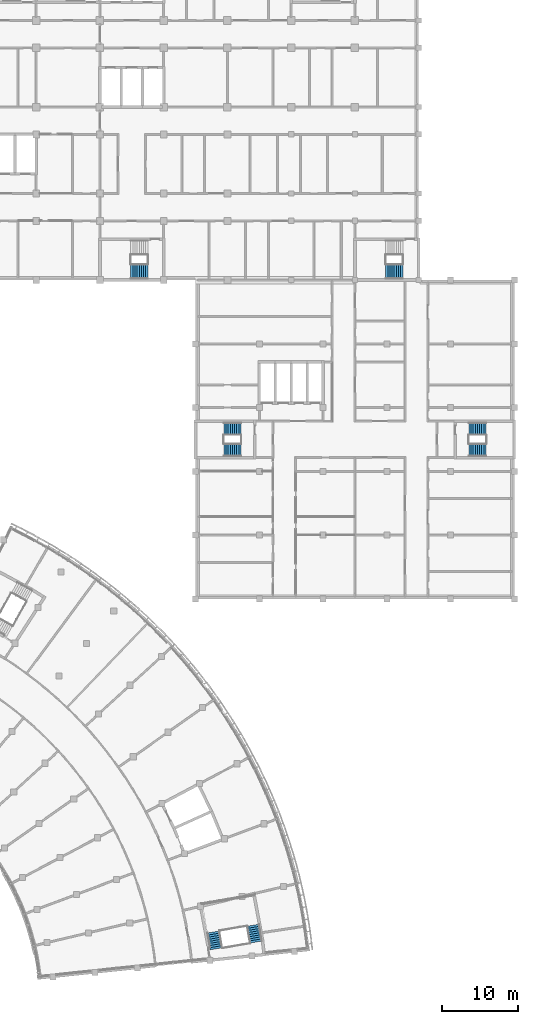
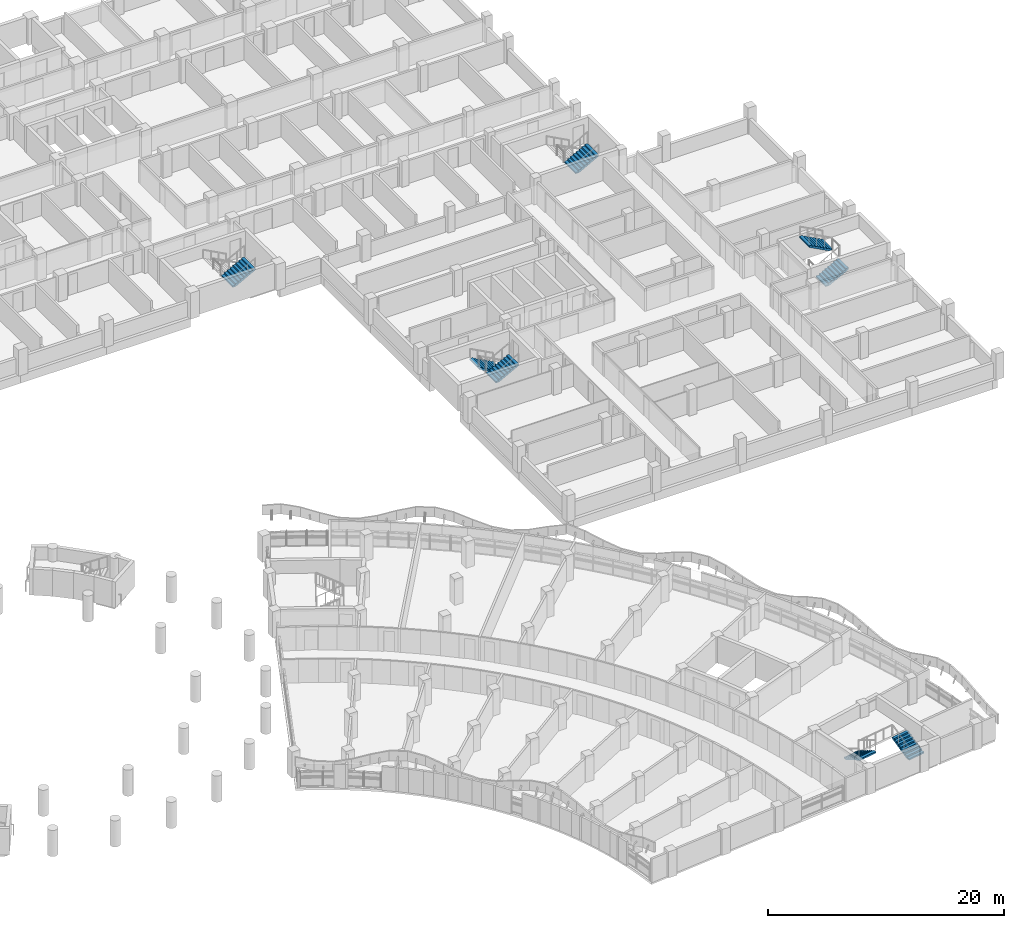
# One storey, part 65 of 89: 8 stair flights, 5 elements without a shape of their own.
"""IFC4 building model written with IfcOpenShell, lengths in metres."""

from ifc_helpers import new_model, si_unit, direction, frame, origin, place, context, subcontext, project, spatial, polyline, outline, extrude, material, type_object, element, aggregate, save


model = new_model("IFC4")

# Units and contexts
model_context = context("Model", 3, precision=1e-05, world=origin(), true_north=direction((0.0, 1.0)))
body_context = subcontext(model_context, "Body", "Model", "MODEL_VIEW")
ifc_project = project(units=[si_unit("LENGTHUNIT", "METRE"), si_unit("AREAUNIT", "SQUARE_METRE"), si_unit("VOLUMEUNIT", "CUBIC_METRE"), si_unit("PLANEANGLEUNIT", "RADIAN"), si_unit("MASSUNIT", "GRAM", prefix="KILO")], contexts=[model_context])

# Site, building, storey
site_placement = place(None, origin())
site = spatial("IfcSite", under=ifc_project, at=site_placement, CompositionType="ELEMENT")
building_placement = place(site_placement, origin())
building = spatial("IfcBuilding", under=site, at=building_placement, Name="Bougainvillea Quay General Hospital", CompositionType="ELEMENT")
storey_placement = place(building_placement, frame((0.0, 0.0, 9.89990234375)))
storey = spatial("IfcBuildingStorey", under=building, at=storey_placement, Name="L01M", CompositionType="ELEMENT", Elevation=9.89990234375)

# Stair, stair flights
ifc_material = material(Name="Concrete C35", Category="concrete")
stair_type_1 = type_object("IfcStairType", Name="Stair half-turn 1650 wide", PredefinedType="HALF_TURN_STAIR", material=ifc_material)
stair_1_placement = place(storey_placement, origin())
stair_1 = element("IfcStair", 1, at=stair_1_placement, inside=storey, type_object=stair_type_1, Name="L01M stair ST-T1", PredefinedType="HALF_TURN_STAIR")
stair_flight_type_1 = type_object("IfcStairFlightType", Name="Stair flight 1650", PredefinedType="STRAIGHT", material=ifc_material)
stair_flight_1_placement = place(storey_placement, frame((169.77490234375, 98.0, 0.0), z_axis=(0.0, 0.0, 1.0), x_axis=(-1.0, 0.0, 0.0)))
stair_flight_1 = element("IfcStairFlight", 2, at=stair_flight_1_placement, type_object=stair_flight_type_1, Name="ST-T1 flight 1", NumberOfRisers=9, NumberOfTreads=8, PredefinedType="STRAIGHT", RiserHeight=0.15, TreadLength=0.28, context=body_context, shape_type="SweptSolid", body=[
    extrude(outline(polyline([(-0.0029296875, 0.0), (-0.0029296875, 0.003662109375), (-0.0029296875, 0.00732421875), (-0.0029296875, 0.010986328125), (-0.0029296875, 0.0146484375), (-0.0029296875, 0.018310546875), (-0.0029296875, 0.02197265625), (-0.0029296875, 0.025634765625), (-0.0029296875, 0.029296875), (-0.0029296875, 0.032958984375), (-0.0029296875, 0.03662109375), (-0.0029296875, 0.040283203125), (-0.0029296875, 0.0439453125), (-0.0029296875, 0.047607421875), (-0.0029296875, 0.05126953125), (-0.0029296875, 0.054931640625), (-0.0029296875, 0.05859375), (-0.0029296875, 0.062255859375), (-0.0029296875, 0.06591796875), (-0.0029296875, 0.069580078125), (-0.0029296875, 0.0732421875), (-0.0029296875, 0.076904296875), (-0.0029296875, 0.08056640625), (-0.0029296875, 0.084228515625), (-0.0029296875, 0.087890625), (-0.0029296875, 0.091552734375), (-0.0029296875, 0.09521484375), (-0.0029296875, 0.098876953125), (-0.0029296875, 0.1025390625), (-0.0029296875, 0.106201171875), (-0.0029296875, 0.10986328125), (-0.0029296875, 0.113525390625), (-0.0029296875, 0.1171875), (-0.0029296875, 0.120849609375), (-0.0029296875, 0.12451171875), (-0.0029296875, 0.1279296875), (-0.0029296875, 0.131591796875), (-0.0029296875, 0.13525390625), (-0.0029296875, 0.138916015625), (-0.0029296875, 0.142578125), (-0.0029296875, 0.146240234375), (-0.0029296875, 0.14990234375), (0.280029296875, 0.14990234375), (0.280029296875, 0.300048828125), (0.56005859375, 0.300048828125), (0.56005859375, 0.449951171875), (0.840087890625, 0.449951171875), (0.840087890625, 0.60009765625), (1.1201171875, 0.60009765625), (1.1201171875, 0.75), (1.39990234375, 0.75), (1.39990234375, 0.89990234375), (1.679931640625, 0.89990234375), (1.679931640625, 1.050048828125), (1.9599609375, 1.050048828125), (1.9599609375, 1.199951171875), (2.242919921875, 1.199951171875), (2.242919921875, 1.19580078125), (2.242919921875, 1.191650390625), (2.242919921875, 1.1875), (2.242919921875, 1.183349609375), (2.242919921875, 1.17919921875), (2.242919921875, 1.175048828125), (2.242919921875, 1.1708984375), (2.242919921875, 1.166748046875), (2.242919921875, 1.16259765625), (2.242919921875, 1.158447265625), (2.242919921875, 1.154296875), (2.242919921875, 1.150146484375), (2.242919921875, 1.14599609375), (2.242919921875, 1.141845703125), (2.242919921875, 1.1376953125), (2.242919921875, 1.133544921875), (2.242919921875, 1.12939453125), (2.242919921875, 1.125244140625), (2.242919921875, 1.12109375), (2.242919921875, 1.116943359375), (2.242919921875, 1.11279296875), (2.242919921875, 1.108642578125), (2.242919921875, 1.1044921875), (2.242919921875, 1.100341796875), (2.242919921875, 1.09619140625), (2.242919921875, 1.092041015625), (2.242919921875, 1.087890625), (2.242919921875, 1.083984375), (2.242919921875, 1.079833984375), (2.242919921875, 1.07568359375), (2.242919921875, 1.071533203125), (2.242919921875, 1.0673828125), (2.242919921875, 1.063232421875), (2.242919921875, 1.05908203125), (2.242919921875, 1.054931640625), (2.242919921875, 1.05078125), (2.242919921875, 1.046630859375), (2.242919921875, 1.04248046875), (2.242919921875, 1.038330078125), (2.242919921875, 1.0341796875), (2.242919921875, 1.030029296875), (0.3173828125, 0.0), (-0.0029296875, 0.0)])), frame((0.0, 0.824951171875, 0.0), z_axis=(0.0, -1.0, 0.0), x_axis=(1.0, 0.0, 0.0)), (0.0, 0.0, 1.0), 1.64990234375),
])
stair_flight_2_placement = place(storey_placement, frame((167.534912109375, 95.199951171875, 1.35009765625), z_axis=(0.0, 0.0, 1.0), x_axis=(1.0, 0.0, 0.0)))
stair_flight_2 = element("IfcStairFlight", 3, at=stair_flight_2_placement, type_object=stair_flight_type_1, Name="ST-T1 flight 2", NumberOfRisers=9, NumberOfTreads=8, PredefinedType="STRAIGHT", RiserHeight=0.15, TreadLength=0.28, context=body_context, shape_type="SweptSolid", body=[
    extrude(outline(polyline([(-0.0029296875, 0.0), (-0.0029296875, 0.003662109375), (-0.0029296875, 0.00732421875), (-0.0029296875, 0.010986328125), (-0.0029296875, 0.0146484375), (-0.0029296875, 0.018310546875), (-0.0029296875, 0.02197265625), (-0.0029296875, 0.025634765625), (-0.0029296875, 0.029296875), (-0.0029296875, 0.032958984375), (-0.0029296875, 0.03662109375), (-0.0029296875, 0.040283203125), (-0.0029296875, 0.0439453125), (-0.0029296875, 0.047607421875), (-0.0029296875, 0.05126953125), (-0.0029296875, 0.054931640625), (-0.0029296875, 0.05859375), (-0.0029296875, 0.062255859375), (-0.0029296875, 0.06591796875), (-0.0029296875, 0.069580078125), (-0.0029296875, 0.0732421875), (-0.0029296875, 0.076904296875), (-0.0029296875, 0.08056640625), (-0.0029296875, 0.084228515625), (-0.0029296875, 0.087890625), (-0.0029296875, 0.091552734375), (-0.0029296875, 0.09521484375), (-0.0029296875, 0.098876953125), (-0.0029296875, 0.1025390625), (-0.0029296875, 0.106201171875), (-0.0029296875, 0.10986328125), (-0.0029296875, 0.113525390625), (-0.0029296875, 0.1171875), (-0.0029296875, 0.120849609375), (-0.0029296875, 0.12451171875), (-0.0029296875, 0.1279296875), (-0.0029296875, 0.131591796875), (-0.0029296875, 0.13525390625), (-0.0029296875, 0.138916015625), (-0.0029296875, 0.142578125), (-0.0029296875, 0.146240234375), (-0.0029296875, 0.14990234375), (0.280029296875, 0.14990234375), (0.280029296875, 0.300048828125), (0.56005859375, 0.300048828125), (0.56005859375, 0.449951171875), (0.840087890625, 0.449951171875), (0.840087890625, 0.60009765625), (1.1201171875, 0.60009765625), (1.1201171875, 0.75), (1.39990234375, 0.75), (1.39990234375, 0.89990234375), (1.679931640625, 0.89990234375), (1.679931640625, 1.050048828125), (1.9599609375, 1.050048828125), (1.9599609375, 1.199951171875), (2.242919921875, 1.199951171875), (2.242919921875, 1.19580078125), (2.242919921875, 1.191650390625), (2.242919921875, 1.1875), (2.242919921875, 1.183349609375), (2.242919921875, 1.17919921875), (2.242919921875, 1.175048828125), (2.242919921875, 1.1708984375), (2.242919921875, 1.166748046875), (2.242919921875, 1.16259765625), (2.242919921875, 1.158447265625), (2.242919921875, 1.154296875), (2.242919921875, 1.150146484375), (2.242919921875, 1.14599609375), (2.242919921875, 1.141845703125), (2.242919921875, 1.1376953125), (2.242919921875, 1.133544921875), (2.242919921875, 1.12939453125), (2.242919921875, 1.125244140625), (2.242919921875, 1.12109375), (2.242919921875, 1.116943359375), (2.242919921875, 1.11279296875), (2.242919921875, 1.108642578125), (2.242919921875, 1.1044921875), (2.242919921875, 1.100341796875), (2.242919921875, 1.09619140625), (2.242919921875, 1.092041015625), (2.242919921875, 1.087890625), (2.242919921875, 1.083984375), (2.242919921875, 1.079833984375), (2.242919921875, 1.07568359375), (2.242919921875, 1.071533203125), (2.242919921875, 1.0673828125), (2.242919921875, 1.063232421875), (2.242919921875, 1.05908203125), (2.242919921875, 1.054931640625), (2.242919921875, 1.05078125), (2.242919921875, 1.046630859375), (2.242919921875, 1.04248046875), (2.242919921875, 1.038330078125), (2.242919921875, 1.0341796875), (2.242919921875, 1.030029296875), (0.3173828125, 0.0), (-0.0029296875, 0.0)])), frame((0.0, 0.824951171875, 0.0), z_axis=(0.0, -1.0, 0.0), x_axis=(1.0, 0.0, 0.0)), (0.0, 0.0, 1.0), 1.64990234375),
])
aggregate(stair_1, [stair_flight_1, stair_flight_2])

stair_2_placement = place(storey_placement, origin())
stair_2 = element("IfcStair", 4, at=stair_2_placement, inside=storey, type_object=stair_type_1, Name="L01M stair ST-T2", PredefinedType="HALF_TURN_STAIR")
stair_flight_3_placement = place(storey_placement, frame((199.824951171875, 95.199951171875, 0.0), z_axis=(0.0, 0.0, 1.0), x_axis=(1.0, 0.0, 0.0)))
stair_flight_3 = element("IfcStairFlight", 5, at=stair_flight_3_placement, type_object=stair_flight_type_1, Name="ST-T2 flight 1", NumberOfRisers=9, NumberOfTreads=8, PredefinedType="STRAIGHT", RiserHeight=0.15, TreadLength=0.28, context=body_context, shape_type="SweptSolid", body=[
    extrude(outline(polyline([(-0.0029296875, 0.0), (-0.0029296875, 0.003662109375), (-0.0029296875, 0.00732421875), (-0.0029296875, 0.010986328125), (-0.0029296875, 0.0146484375), (-0.0029296875, 0.018310546875), (-0.0029296875, 0.02197265625), (-0.0029296875, 0.025634765625), (-0.0029296875, 0.029296875), (-0.0029296875, 0.032958984375), (-0.0029296875, 0.03662109375), (-0.0029296875, 0.040283203125), (-0.0029296875, 0.0439453125), (-0.0029296875, 0.047607421875), (-0.0029296875, 0.05126953125), (-0.0029296875, 0.054931640625), (-0.0029296875, 0.05859375), (-0.0029296875, 0.062255859375), (-0.0029296875, 0.06591796875), (-0.0029296875, 0.069580078125), (-0.0029296875, 0.0732421875), (-0.0029296875, 0.076904296875), (-0.0029296875, 0.08056640625), (-0.0029296875, 0.084228515625), (-0.0029296875, 0.087890625), (-0.0029296875, 0.091552734375), (-0.0029296875, 0.09521484375), (-0.0029296875, 0.098876953125), (-0.0029296875, 0.1025390625), (-0.0029296875, 0.106201171875), (-0.0029296875, 0.10986328125), (-0.0029296875, 0.113525390625), (-0.0029296875, 0.1171875), (-0.0029296875, 0.120849609375), (-0.0029296875, 0.12451171875), (-0.0029296875, 0.1279296875), (-0.0029296875, 0.131591796875), (-0.0029296875, 0.13525390625), (-0.0029296875, 0.138916015625), (-0.0029296875, 0.142578125), (-0.0029296875, 0.146240234375), (-0.0029296875, 0.14990234375), (0.280029296875, 0.14990234375), (0.280029296875, 0.300048828125), (0.56005859375, 0.300048828125), (0.56005859375, 0.449951171875), (0.840087890625, 0.449951171875), (0.840087890625, 0.60009765625), (1.1201171875, 0.60009765625), (1.1201171875, 0.75), (1.39990234375, 0.75), (1.39990234375, 0.89990234375), (1.679931640625, 0.89990234375), (1.679931640625, 1.050048828125), (1.9599609375, 1.050048828125), (1.9599609375, 1.199951171875), (2.242919921875, 1.199951171875), (2.242919921875, 1.19580078125), (2.242919921875, 1.191650390625), (2.242919921875, 1.1875), (2.242919921875, 1.183349609375), (2.242919921875, 1.17919921875), (2.242919921875, 1.175048828125), (2.242919921875, 1.1708984375), (2.242919921875, 1.166748046875), (2.242919921875, 1.16259765625), (2.242919921875, 1.158447265625), (2.242919921875, 1.154296875), (2.242919921875, 1.150146484375), (2.242919921875, 1.14599609375), (2.242919921875, 1.141845703125), (2.242919921875, 1.1376953125), (2.242919921875, 1.133544921875), (2.242919921875, 1.12939453125), (2.242919921875, 1.125244140625), (2.242919921875, 1.12109375), (2.242919921875, 1.116943359375), (2.242919921875, 1.11279296875), (2.242919921875, 1.108642578125), (2.242919921875, 1.1044921875), (2.242919921875, 1.100341796875), (2.242919921875, 1.09619140625), (2.242919921875, 1.092041015625), (2.242919921875, 1.087890625), (2.242919921875, 1.083984375), (2.242919921875, 1.079833984375), (2.242919921875, 1.07568359375), (2.242919921875, 1.071533203125), (2.242919921875, 1.0673828125), (2.242919921875, 1.063232421875), (2.242919921875, 1.05908203125), (2.242919921875, 1.054931640625), (2.242919921875, 1.05078125), (2.242919921875, 1.046630859375), (2.242919921875, 1.04248046875), (2.242919921875, 1.038330078125), (2.242919921875, 1.0341796875), (2.242919921875, 1.030029296875), (0.3173828125, 0.0), (-0.0029296875, 0.0)])), frame((0.0, 0.824951171875, 0.0), z_axis=(0.0, -1.0, 0.0), x_axis=(1.0, 0.0, 0.0)), (0.0, 0.0, 1.0), 1.64990234375),
])
stair_flight_4_placement = place(storey_placement, frame((202.06494140625, 98.0, 1.35009765625), z_axis=(0.0, 0.0, 1.0), x_axis=(-1.0, 0.0, 0.0)))
stair_flight_4 = element("IfcStairFlight", 6, at=stair_flight_4_placement, type_object=stair_flight_type_1, Name="ST-T2 flight 2", NumberOfRisers=9, NumberOfTreads=8, PredefinedType="STRAIGHT", RiserHeight=0.15, TreadLength=0.28, context=body_context, shape_type="SweptSolid", body=[
    extrude(outline(polyline([(-0.0029296875, 0.0), (-0.0029296875, 0.003662109375), (-0.0029296875, 0.00732421875), (-0.0029296875, 0.010986328125), (-0.0029296875, 0.0146484375), (-0.0029296875, 0.018310546875), (-0.0029296875, 0.02197265625), (-0.0029296875, 0.025634765625), (-0.0029296875, 0.029296875), (-0.0029296875, 0.032958984375), (-0.0029296875, 0.03662109375), (-0.0029296875, 0.040283203125), (-0.0029296875, 0.0439453125), (-0.0029296875, 0.047607421875), (-0.0029296875, 0.05126953125), (-0.0029296875, 0.054931640625), (-0.0029296875, 0.05859375), (-0.0029296875, 0.062255859375), (-0.0029296875, 0.06591796875), (-0.0029296875, 0.069580078125), (-0.0029296875, 0.0732421875), (-0.0029296875, 0.076904296875), (-0.0029296875, 0.08056640625), (-0.0029296875, 0.084228515625), (-0.0029296875, 0.087890625), (-0.0029296875, 0.091552734375), (-0.0029296875, 0.09521484375), (-0.0029296875, 0.098876953125), (-0.0029296875, 0.1025390625), (-0.0029296875, 0.106201171875), (-0.0029296875, 0.10986328125), (-0.0029296875, 0.113525390625), (-0.0029296875, 0.1171875), (-0.0029296875, 0.120849609375), (-0.0029296875, 0.12451171875), (-0.0029296875, 0.1279296875), (-0.0029296875, 0.131591796875), (-0.0029296875, 0.13525390625), (-0.0029296875, 0.138916015625), (-0.0029296875, 0.142578125), (-0.0029296875, 0.146240234375), (-0.0029296875, 0.14990234375), (0.280029296875, 0.14990234375), (0.280029296875, 0.300048828125), (0.56005859375, 0.300048828125), (0.56005859375, 0.449951171875), (0.840087890625, 0.449951171875), (0.840087890625, 0.60009765625), (1.1201171875, 0.60009765625), (1.1201171875, 0.75), (1.39990234375, 0.75), (1.39990234375, 0.89990234375), (1.679931640625, 0.89990234375), (1.679931640625, 1.050048828125), (1.9599609375, 1.050048828125), (1.9599609375, 1.199951171875), (2.242919921875, 1.199951171875), (2.242919921875, 1.19580078125), (2.242919921875, 1.191650390625), (2.242919921875, 1.1875), (2.242919921875, 1.183349609375), (2.242919921875, 1.17919921875), (2.242919921875, 1.175048828125), (2.242919921875, 1.1708984375), (2.242919921875, 1.166748046875), (2.242919921875, 1.16259765625), (2.242919921875, 1.158447265625), (2.242919921875, 1.154296875), (2.242919921875, 1.150146484375), (2.242919921875, 1.14599609375), (2.242919921875, 1.141845703125), (2.242919921875, 1.1376953125), (2.242919921875, 1.133544921875), (2.242919921875, 1.12939453125), (2.242919921875, 1.125244140625), (2.242919921875, 1.12109375), (2.242919921875, 1.116943359375), (2.242919921875, 1.11279296875), (2.242919921875, 1.108642578125), (2.242919921875, 1.1044921875), (2.242919921875, 1.100341796875), (2.242919921875, 1.09619140625), (2.242919921875, 1.092041015625), (2.242919921875, 1.087890625), (2.242919921875, 1.083984375), (2.242919921875, 1.079833984375), (2.242919921875, 1.07568359375), (2.242919921875, 1.071533203125), (2.242919921875, 1.0673828125), (2.242919921875, 1.063232421875), (2.242919921875, 1.05908203125), (2.242919921875, 1.054931640625), (2.242919921875, 1.05078125), (2.242919921875, 1.046630859375), (2.242919921875, 1.04248046875), (2.242919921875, 1.038330078125), (2.242919921875, 1.0341796875), (2.242919921875, 1.030029296875), (0.3173828125, 0.0), (-0.0029296875, 0.0)])), frame((0.0, 0.824951171875, 0.0), z_axis=(0.0, -1.0, 0.0), x_axis=(1.0, 0.0, 0.0)), (0.0, 0.0, 1.0), 1.64990234375),
])
aggregate(stair_2, [stair_flight_3, stair_flight_4])

stair_3_placement = place(storey_placement, origin())
stair_3 = element("IfcStair", 7, at=stair_3_placement, inside=storey, type_object=stair_type_1, Name="L01M stair ST-E2", PredefinedType="HALF_TURN_STAIR")
stair_flight_5_placement = place(storey_placement, frame((171.761474609375, 30.370849609375, 0.0), z_axis=(0.0, 0.0, 1.0), x_axis=(-0.167737267749, 0.985831734632, 0.0)))
stair_flight_5 = element("IfcStairFlight", 8, at=stair_flight_5_placement, type_object=stair_flight_type_1, Name="ST-E2 flight 1", NumberOfRisers=9, NumberOfTreads=8, PredefinedType="STRAIGHT", RiserHeight=0.15, TreadLength=0.28, context=body_context, shape_type="SweptSolid", body=[
    extrude(outline(polyline([(-0.0029296875, 0.0), (-0.0029296875, 0.003662109375), (-0.0029296875, 0.00732421875), (-0.0029296875, 0.010986328125), (-0.0029296875, 0.0146484375), (-0.0029296875, 0.018310546875), (-0.0029296875, 0.02197265625), (-0.0029296875, 0.025634765625), (-0.0029296875, 0.029296875), (-0.0029296875, 0.032958984375), (-0.0029296875, 0.03662109375), (-0.0029296875, 0.040283203125), (-0.0029296875, 0.0439453125), (-0.0029296875, 0.047607421875), (-0.0029296875, 0.05126953125), (-0.0029296875, 0.054931640625), (-0.0029296875, 0.05859375), (-0.0029296875, 0.062255859375), (-0.0029296875, 0.06591796875), (-0.0029296875, 0.069580078125), (-0.0029296875, 0.0732421875), (-0.0029296875, 0.076904296875), (-0.0029296875, 0.08056640625), (-0.0029296875, 0.084228515625), (-0.0029296875, 0.087890625), (-0.0029296875, 0.091552734375), (-0.0029296875, 0.09521484375), (-0.0029296875, 0.098876953125), (-0.0029296875, 0.1025390625), (-0.0029296875, 0.106201171875), (-0.0029296875, 0.10986328125), (-0.0029296875, 0.113525390625), (-0.0029296875, 0.1171875), (-0.0029296875, 0.120849609375), (-0.0029296875, 0.12451171875), (-0.0029296875, 0.1279296875), (-0.0029296875, 0.131591796875), (-0.0029296875, 0.13525390625), (-0.0029296875, 0.138916015625), (-0.0029296875, 0.142578125), (-0.0029296875, 0.146240234375), (-0.0029296875, 0.14990234375), (0.280029296875, 0.14990234375), (0.280029296875, 0.300048828125), (0.56005859375, 0.300048828125), (0.56005859375, 0.449951171875), (0.840087890625, 0.449951171875), (0.840087890625, 0.60009765625), (1.1201171875, 0.60009765625), (1.1201171875, 0.75), (1.39990234375, 0.75), (1.39990234375, 0.89990234375), (1.679931640625, 0.89990234375), (1.679931640625, 1.050048828125), (1.9599609375, 1.050048828125), (1.9599609375, 1.199951171875), (2.242919921875, 1.199951171875), (2.242919921875, 1.19580078125), (2.242919921875, 1.191650390625), (2.242919921875, 1.1875), (2.242919921875, 1.183349609375), (2.242919921875, 1.17919921875), (2.242919921875, 1.175048828125), (2.242919921875, 1.1708984375), (2.242919921875, 1.166748046875), (2.242919921875, 1.16259765625), (2.242919921875, 1.158447265625), (2.242919921875, 1.154296875), (2.242919921875, 1.150146484375), (2.242919921875, 1.14599609375), (2.242919921875, 1.141845703125), (2.242919921875, 1.1376953125), (2.242919921875, 1.133544921875), (2.242919921875, 1.12939453125), (2.242919921875, 1.125244140625), (2.242919921875, 1.12109375), (2.242919921875, 1.116943359375), (2.242919921875, 1.11279296875), (2.242919921875, 1.108642578125), (2.242919921875, 1.1044921875), (2.242919921875, 1.100341796875), (2.242919921875, 1.09619140625), (2.242919921875, 1.092041015625), (2.242919921875, 1.087890625), (2.242919921875, 1.083984375), (2.242919921875, 1.079833984375), (2.242919921875, 1.07568359375), (2.242919921875, 1.071533203125), (2.242919921875, 1.0673828125), (2.242919921875, 1.063232421875), (2.242919921875, 1.05908203125), (2.242919921875, 1.054931640625), (2.242919921875, 1.05078125), (2.242919921875, 1.046630859375), (2.242919921875, 1.04248046875), (2.242919921875, 1.038330078125), (2.242919921875, 1.0341796875), (2.242919921875, 1.030029296875), (0.3173828125, 0.0), (-0.0029296875, 0.0)])), frame((0.0, 0.824951171875, 0.0), z_axis=(0.0, -1.0, 0.0), x_axis=(1.0, 0.0, 0.0)), (0.0, 0.0, 1.0), 1.64990234375),
])
stair_flight_6_placement = place(storey_placement, frame((166.15283203125, 31.68896484375, 1.35009765625), z_axis=(0.0, 0.0, 1.0), x_axis=(0.167737267749, -0.985831734632, 0.0)))
stair_flight_6 = element("IfcStairFlight", 9, at=stair_flight_6_placement, type_object=stair_flight_type_1, Name="ST-E2 flight 2", NumberOfRisers=9, NumberOfTreads=8, PredefinedType="STRAIGHT", RiserHeight=0.15, TreadLength=0.28, context=body_context, shape_type="SweptSolid", body=[
    extrude(outline(polyline([(-0.0029296875, 0.0), (-0.0029296875, 0.003662109375), (-0.0029296875, 0.00732421875), (-0.0029296875, 0.010986328125), (-0.0029296875, 0.0146484375), (-0.0029296875, 0.018310546875), (-0.0029296875, 0.02197265625), (-0.0029296875, 0.025634765625), (-0.0029296875, 0.029296875), (-0.0029296875, 0.032958984375), (-0.0029296875, 0.03662109375), (-0.0029296875, 0.040283203125), (-0.0029296875, 0.0439453125), (-0.0029296875, 0.047607421875), (-0.0029296875, 0.05126953125), (-0.0029296875, 0.054931640625), (-0.0029296875, 0.05859375), (-0.0029296875, 0.062255859375), (-0.0029296875, 0.06591796875), (-0.0029296875, 0.069580078125), (-0.0029296875, 0.0732421875), (-0.0029296875, 0.076904296875), (-0.0029296875, 0.08056640625), (-0.0029296875, 0.084228515625), (-0.0029296875, 0.087890625), (-0.0029296875, 0.091552734375), (-0.0029296875, 0.09521484375), (-0.0029296875, 0.098876953125), (-0.0029296875, 0.1025390625), (-0.0029296875, 0.106201171875), (-0.0029296875, 0.10986328125), (-0.0029296875, 0.113525390625), (-0.0029296875, 0.1171875), (-0.0029296875, 0.120849609375), (-0.0029296875, 0.12451171875), (-0.0029296875, 0.1279296875), (-0.0029296875, 0.131591796875), (-0.0029296875, 0.13525390625), (-0.0029296875, 0.138916015625), (-0.0029296875, 0.142578125), (-0.0029296875, 0.146240234375), (-0.0029296875, 0.14990234375), (0.280029296875, 0.14990234375), (0.280029296875, 0.300048828125), (0.56005859375, 0.300048828125), (0.56005859375, 0.449951171875), (0.840087890625, 0.449951171875), (0.840087890625, 0.60009765625), (1.1201171875, 0.60009765625), (1.1201171875, 0.75), (1.39990234375, 0.75), (1.39990234375, 0.89990234375), (1.679931640625, 0.89990234375), (1.679931640625, 1.050048828125), (1.9599609375, 1.050048828125), (1.9599609375, 1.199951171875), (2.242919921875, 1.199951171875), (2.242919921875, 1.19580078125), (2.242919921875, 1.191650390625), (2.242919921875, 1.1875), (2.242919921875, 1.183349609375), (2.242919921875, 1.17919921875), (2.242919921875, 1.175048828125), (2.242919921875, 1.1708984375), (2.242919921875, 1.166748046875), (2.242919921875, 1.16259765625), (2.242919921875, 1.158447265625), (2.242919921875, 1.154296875), (2.242919921875, 1.150146484375), (2.242919921875, 1.14599609375), (2.242919921875, 1.141845703125), (2.242919921875, 1.1376953125), (2.242919921875, 1.133544921875), (2.242919921875, 1.12939453125), (2.242919921875, 1.125244140625), (2.242919921875, 1.12109375), (2.242919921875, 1.116943359375), (2.242919921875, 1.11279296875), (2.242919921875, 1.108642578125), (2.242919921875, 1.1044921875), (2.242919921875, 1.100341796875), (2.242919921875, 1.09619140625), (2.242919921875, 1.092041015625), (2.242919921875, 1.087890625), (2.242919921875, 1.083984375), (2.242919921875, 1.079833984375), (2.242919921875, 1.07568359375), (2.242919921875, 1.071533203125), (2.242919921875, 1.0673828125), (2.242919921875, 1.063232421875), (2.242919921875, 1.05908203125), (2.242919921875, 1.054931640625), (2.242919921875, 1.05078125), (2.242919921875, 1.046630859375), (2.242919921875, 1.04248046875), (2.242919921875, 1.038330078125), (2.242919921875, 1.0341796875), (2.242919921875, 1.030029296875), (0.3173828125, 0.0), (-0.0029296875, 0.0)])), frame((0.0, 0.824951171875, 0.0), z_axis=(0.0, -1.0, 0.0), x_axis=(1.0, 0.0, 0.0)), (0.0, 0.0, 1.0), 1.64990234375),
])
aggregate(stair_3, [stair_flight_5, stair_flight_6])

# Stair, stair flight
stair_type_2 = type_object("IfcStairType", Name="Stair half-turn 1925 wide", PredefinedType="HALF_TURN_STAIR", material=ifc_material)
stair_4_placement = place(storey_placement, origin())
stair_4 = element("IfcStair", 10, at=stair_4_placement, inside=storey, type_object=stair_type_2, Name="L01M stair ST-D4", PredefinedType="HALF_TURN_STAIR")
stair_flight_type_2 = type_object("IfcStairFlightType", Name="Stair flight 1925", PredefinedType="STRAIGHT", material=ifc_material)
stair_flight_7_placement = place(storey_placement, frame((188.860107421875, 118.737548828125, 1.35009765625), z_axis=(0.0, 0.0, 1.0), x_axis=(1.0, 0.0, 0.0)))
stair_flight_7 = element("IfcStairFlight", 11, at=stair_flight_7_placement, type_object=stair_flight_type_2, Name="ST-D4 flight 2", NumberOfRisers=9, NumberOfTreads=8, PredefinedType="STRAIGHT", RiserHeight=0.15, TreadLength=0.28, context=body_context, shape_type="SweptSolid", body=[
    extrude(outline(polyline([(-0.0029296875, 0.0), (-0.0029296875, 0.003662109375), (-0.0029296875, 0.00732421875), (-0.0029296875, 0.010986328125), (-0.0029296875, 0.0146484375), (-0.0029296875, 0.018310546875), (-0.0029296875, 0.02197265625), (-0.0029296875, 0.025634765625), (-0.0029296875, 0.029296875), (-0.0029296875, 0.032958984375), (-0.0029296875, 0.03662109375), (-0.0029296875, 0.040283203125), (-0.0029296875, 0.0439453125), (-0.0029296875, 0.047607421875), (-0.0029296875, 0.05126953125), (-0.0029296875, 0.054931640625), (-0.0029296875, 0.05859375), (-0.0029296875, 0.062255859375), (-0.0029296875, 0.06591796875), (-0.0029296875, 0.069580078125), (-0.0029296875, 0.0732421875), (-0.0029296875, 0.076904296875), (-0.0029296875, 0.08056640625), (-0.0029296875, 0.084228515625), (-0.0029296875, 0.087890625), (-0.0029296875, 0.091552734375), (-0.0029296875, 0.09521484375), (-0.0029296875, 0.098876953125), (-0.0029296875, 0.1025390625), (-0.0029296875, 0.106201171875), (-0.0029296875, 0.10986328125), (-0.0029296875, 0.113525390625), (-0.0029296875, 0.1171875), (-0.0029296875, 0.120849609375), (-0.0029296875, 0.12451171875), (-0.0029296875, 0.1279296875), (-0.0029296875, 0.131591796875), (-0.0029296875, 0.13525390625), (-0.0029296875, 0.138916015625), (-0.0029296875, 0.142578125), (-0.0029296875, 0.146240234375), (-0.0029296875, 0.14990234375), (0.280029296875, 0.14990234375), (0.280029296875, 0.300048828125), (0.56005859375, 0.300048828125), (0.56005859375, 0.449951171875), (0.840087890625, 0.449951171875), (0.840087890625, 0.60009765625), (1.1201171875, 0.60009765625), (1.1201171875, 0.75), (1.39990234375, 0.75), (1.39990234375, 0.89990234375), (1.679931640625, 0.89990234375), (1.679931640625, 1.050048828125), (1.9599609375, 1.050048828125), (1.9599609375, 1.199951171875), (2.242919921875, 1.199951171875), (2.242919921875, 1.19580078125), (2.242919921875, 1.191650390625), (2.242919921875, 1.1875), (2.242919921875, 1.183349609375), (2.242919921875, 1.17919921875), (2.242919921875, 1.175048828125), (2.242919921875, 1.1708984375), (2.242919921875, 1.166748046875), (2.242919921875, 1.16259765625), (2.242919921875, 1.158447265625), (2.242919921875, 1.154296875), (2.242919921875, 1.150146484375), (2.242919921875, 1.14599609375), (2.242919921875, 1.141845703125), (2.242919921875, 1.1376953125), (2.242919921875, 1.133544921875), (2.242919921875, 1.12939453125), (2.242919921875, 1.125244140625), (2.242919921875, 1.12109375), (2.242919921875, 1.116943359375), (2.242919921875, 1.11279296875), (2.242919921875, 1.108642578125), (2.242919921875, 1.1044921875), (2.242919921875, 1.100341796875), (2.242919921875, 1.09619140625), (2.242919921875, 1.092041015625), (2.242919921875, 1.087890625), (2.242919921875, 1.083984375), (2.242919921875, 1.079833984375), (2.242919921875, 1.07568359375), (2.242919921875, 1.071533203125), (2.242919921875, 1.0673828125), (2.242919921875, 1.063232421875), (2.242919921875, 1.05908203125), (2.242919921875, 1.054931640625), (2.242919921875, 1.05078125), (2.242919921875, 1.046630859375), (2.242919921875, 1.04248046875), (2.242919921875, 1.038330078125), (2.242919921875, 1.0341796875), (2.242919921875, 1.030029296875), (0.3173828125, 0.0), (-0.0029296875, 0.0)])), frame((0.0, 0.96240234375, 0.0), z_axis=(0.0, -1.0, 0.0), x_axis=(1.0, 0.0, 0.0)), (0.0, 0.0, 1.0), 1.925048828125),
])
aggregate(stair_4, [stair_flight_7])

stair_5_placement = place(storey_placement, origin())
stair_5 = element("IfcStair", 12, at=stair_5_placement, inside=storey, type_object=stair_type_2, Name="L01M stair ST-B4", PredefinedType="HALF_TURN_STAIR")
stair_flight_8_placement = place(storey_placement, frame((155.260009765625, 118.737548828125, 1.35009765625), z_axis=(0.0, 0.0, 1.0), x_axis=(1.0, 0.0, 0.0)))
stair_flight_8 = element("IfcStairFlight", 13, at=stair_flight_8_placement, type_object=stair_flight_type_2, Name="ST-B4 flight 2", NumberOfRisers=9, NumberOfTreads=8, PredefinedType="STRAIGHT", RiserHeight=0.15, TreadLength=0.28, context=body_context, shape_type="SweptSolid", body=[
    extrude(outline(polyline([(-0.0029296875, 0.0), (-0.0029296875, 0.003662109375), (-0.0029296875, 0.00732421875), (-0.0029296875, 0.010986328125), (-0.0029296875, 0.0146484375), (-0.0029296875, 0.018310546875), (-0.0029296875, 0.02197265625), (-0.0029296875, 0.025634765625), (-0.0029296875, 0.029296875), (-0.0029296875, 0.032958984375), (-0.0029296875, 0.03662109375), (-0.0029296875, 0.040283203125), (-0.0029296875, 0.0439453125), (-0.0029296875, 0.047607421875), (-0.0029296875, 0.05126953125), (-0.0029296875, 0.054931640625), (-0.0029296875, 0.05859375), (-0.0029296875, 0.062255859375), (-0.0029296875, 0.06591796875), (-0.0029296875, 0.069580078125), (-0.0029296875, 0.0732421875), (-0.0029296875, 0.076904296875), (-0.0029296875, 0.08056640625), (-0.0029296875, 0.084228515625), (-0.0029296875, 0.087890625), (-0.0029296875, 0.091552734375), (-0.0029296875, 0.09521484375), (-0.0029296875, 0.098876953125), (-0.0029296875, 0.1025390625), (-0.0029296875, 0.106201171875), (-0.0029296875, 0.10986328125), (-0.0029296875, 0.113525390625), (-0.0029296875, 0.1171875), (-0.0029296875, 0.120849609375), (-0.0029296875, 0.12451171875), (-0.0029296875, 0.1279296875), (-0.0029296875, 0.131591796875), (-0.0029296875, 0.13525390625), (-0.0029296875, 0.138916015625), (-0.0029296875, 0.142578125), (-0.0029296875, 0.146240234375), (-0.0029296875, 0.14990234375), (0.280029296875, 0.14990234375), (0.280029296875, 0.300048828125), (0.56005859375, 0.300048828125), (0.56005859375, 0.449951171875), (0.840087890625, 0.449951171875), (0.840087890625, 0.60009765625), (1.1201171875, 0.60009765625), (1.1201171875, 0.75), (1.39990234375, 0.75), (1.39990234375, 0.89990234375), (1.679931640625, 0.89990234375), (1.679931640625, 1.050048828125), (1.9599609375, 1.050048828125), (1.9599609375, 1.199951171875), (2.242919921875, 1.199951171875), (2.242919921875, 1.19580078125), (2.242919921875, 1.191650390625), (2.242919921875, 1.1875), (2.242919921875, 1.183349609375), (2.242919921875, 1.17919921875), (2.242919921875, 1.175048828125), (2.242919921875, 1.1708984375), (2.242919921875, 1.166748046875), (2.242919921875, 1.16259765625), (2.242919921875, 1.158447265625), (2.242919921875, 1.154296875), (2.242919921875, 1.150146484375), (2.242919921875, 1.14599609375), (2.242919921875, 1.141845703125), (2.242919921875, 1.1376953125), (2.242919921875, 1.133544921875), (2.242919921875, 1.12939453125), (2.242919921875, 1.125244140625), (2.242919921875, 1.12109375), (2.242919921875, 1.116943359375), (2.242919921875, 1.11279296875), (2.242919921875, 1.108642578125), (2.242919921875, 1.1044921875), (2.242919921875, 1.100341796875), (2.242919921875, 1.09619140625), (2.242919921875, 1.092041015625), (2.242919921875, 1.087890625), (2.242919921875, 1.083984375), (2.242919921875, 1.079833984375), (2.242919921875, 1.07568359375), (2.242919921875, 1.071533203125), (2.242919921875, 1.0673828125), (2.242919921875, 1.063232421875), (2.242919921875, 1.05908203125), (2.242919921875, 1.054931640625), (2.242919921875, 1.05078125), (2.242919921875, 1.046630859375), (2.242919921875, 1.04248046875), (2.242919921875, 1.038330078125), (2.242919921875, 1.0341796875), (2.242919921875, 1.030029296875), (0.3173828125, 0.0), (-0.0029296875, 0.0)])), frame((0.0, 0.96240234375, 0.0), z_axis=(0.0, -1.0, 0.0), x_axis=(1.0, 0.0, 0.0)), (0.0, 0.0, 1.0), 1.925048828125),
])
aggregate(stair_5, [stair_flight_8])

save(model, "model.ifc")
